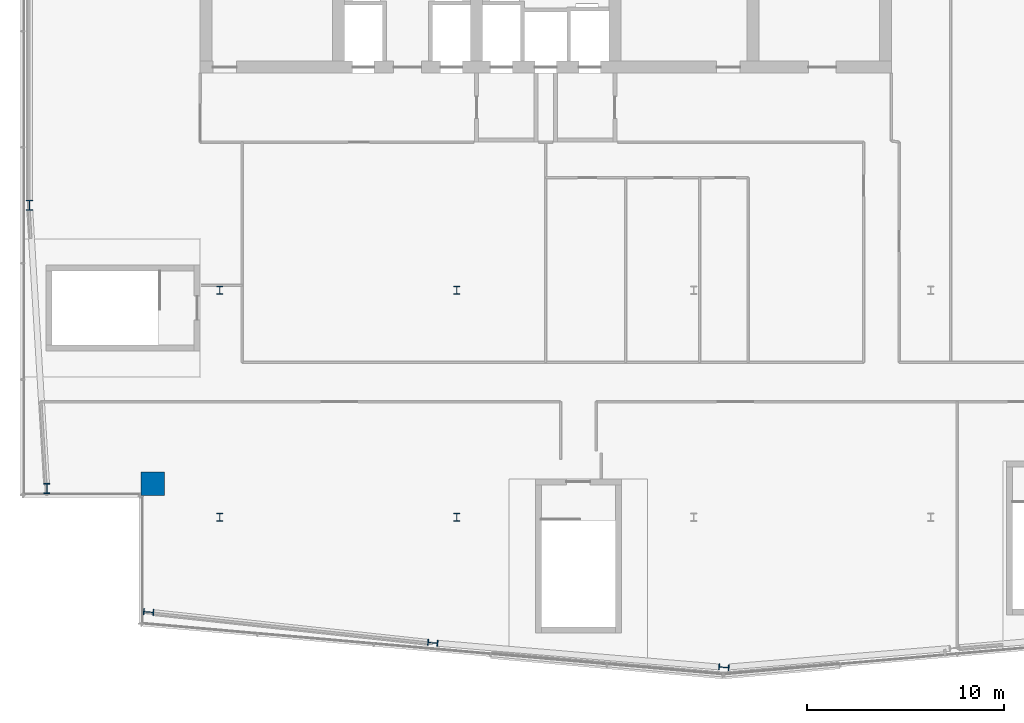
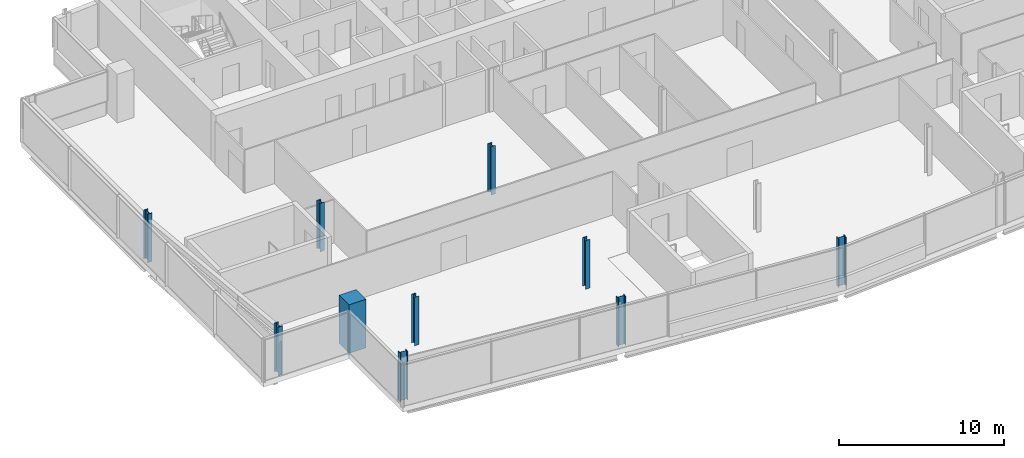
# One storey, part 1 of 19: 10 columns.
"""IFC4 building model written with IfcOpenShell, lengths in metres."""

from ifc_helpers import new_model, si_unit, direction, frame, origin, origin_2d, place, context, subcontext, project, spatial, rectangle, i_section, extrude, material, material_profile, profile_set, type_object, element, save


model = new_model("IFC4")

# Units and contexts
model_context = context("Model", 3, precision=1e-05, world=origin(), true_north=direction((0.0, 1.0)))
body_context = subcontext(model_context, "Body", "Model", "MODEL_VIEW")
ifc_project = project(units=[si_unit("LENGTHUNIT", "METRE"), si_unit("AREAUNIT", "SQUARE_METRE"), si_unit("VOLUMEUNIT", "CUBIC_METRE"), si_unit("PLANEANGLEUNIT", "RADIAN"), si_unit("MASSUNIT", "GRAM", prefix="KILO")], contexts=[model_context])

# Site, building, storey
site_placement = place(None, origin())
site = spatial("IfcSite", under=ifc_project, at=site_placement, CompositionType="ELEMENT")
building_placement = place(site_placement, origin())
building = spatial("IfcBuilding", under=site, at=building_placement, Name="Wharfspan Tower", CompositionType="ELEMENT")
storey_placement = place(building_placement, frame((0.0, 0.0, 257.5)))
storey = spatial("IfcBuildingStorey", under=building, at=storey_placement, Name="L65", CompositionType="ELEMENT", Elevation=257.5)

# Columns
ifc_material_1 = material(Name="Steel S355J2", Category="steel")
ifc_material_profile_1 = material_profile(ifc_material_1, i_section(OverallWidth=0.300049, OverallDepth=0.399902, WebThickness=0.013428, FlangeThickness=0.023926, FilletRadius=0.0271, at=origin_2d()))
ifc_profile_set_1 = profile_set([ifc_material_profile_1], Name="Steel S355J2")
column_type_1 = type_object("IfcColumnType", Name="Column HEB 400", PredefinedType="COLUMN", material=ifc_profile_set_1)
for number, where, z_axis, x_axis, name in (
    (1, (24.0, 11.5, 0.0), (0.0, 0.0, 1.0), (1.0, 0.0, 0.0), "Interior column I.1.1 L65"),
    (2, (36.0, 11.5, 0.0), (0.0, 0.0, 1.0), (1.0, 0.0, 0.0), "Interior column I.1.2 L65"),
    (3, (24.0, 23.0, 0.0), (0.0, 0.0, 1.0), (1.0, 0.0, 0.0), "Interior column I.2.1 L65"),
    (4, (36.0, 23.0, 0.0), (0.0, 0.0, 1.0), (1.0, 0.0, 0.0), "Interior column I.2.2 L65"),
):
    element("IfcColumn", number, at=place(storey_placement, frame(where, z_axis=z_axis, x_axis=x_axis)), inside=storey, type_object=column_type_1, Name=name, PredefinedType="COLUMN", context=body_context, shape_type="SweptSolid", body=[
        extrude(i_section(OverallWidth=0.300049, OverallDepth=0.399902, WebThickness=0.013428, FlangeThickness=0.023926, FilletRadius=0.0271, at=origin_2d()), origin(), (0.0, 0.0, 1.0), 3.600098),
    ])
ifc_material_profile_2 = material_profile(ifc_material_1, i_section(OverallWidth=0.305908, OverallDepth=0.523926, WebThickness=0.020996, FlangeThickness=0.040039, FilletRadius=0.0271, at=origin_2d()))
ifc_profile_set_2 = profile_set([ifc_material_profile_2], Name="Steel S355J2")
column_type_2 = type_object("IfcColumnType", Name="Column HEM 500", PredefinedType="COLUMN", material=ifc_profile_set_2)
for number, where, z_axis, x_axis, name in (
    (5, (20.392334, 6.702637, 0.0), (0.0, 0.0, 1.0), (-0.087156, -0.996197, 0.0), "Perimeter column PS1.1 L65"),
    (6, (34.781494, 5.143311, 0.0), (0.0, 0.0, 1.0), (-0.087156, -0.996197, 0.0), "Perimeter column PS1.2 L65"),
    (7, (49.522949, 3.9021, 0.0), (0.0, 0.0, 1.0), (-0.087156, -0.996197, 0.0), "Perimeter column PS1.3 L65"),
    (8, (14.360107, 27.300049, 0.0), (0.0, 0.0, 1.0), (-1.0, 0.0, 0.0), "Perimeter column PW.1 L65"),
    (9, (15.237793, 12.963379, 0.0), (0.0, 0.0, 1.0), (-1.0, 0.0, 0.0), "Perimeter column PW.2 L65"),
):
    element("IfcColumn", number, at=place(storey_placement, frame(where, z_axis=z_axis, x_axis=x_axis)), inside=storey, type_object=column_type_2, Name=name, PredefinedType="COLUMN", context=body_context, shape_type="SweptSolid", body=[
        extrude(i_section(OverallWidth=0.305908, OverallDepth=0.523926, WebThickness=0.020996, FlangeThickness=0.040039, FilletRadius=0.0271, at=origin_2d()), origin(), (0.0, 0.0, 1.0), 3.600098),
    ])
ifc_material_2 = material(Name="Concrete C50/60", Category="concrete")
ifc_material_profile_3 = material_profile(ifc_material_2, rectangle(XDim=1.199951, YDim=1.199951, at=origin_2d()))
ifc_profile_set_3 = profile_set([ifc_material_profile_3], Name="Concrete C50/60")
column_type_3 = type_object("IfcColumnType", Name="Mega column 1200 C50/60", PredefinedType="COLUMN", material=ifc_profile_set_3)
column_placement = place(storey_placement, frame((20.600098, 13.199951, 0.0), z_axis=(0.0, 0.0, 1.0), x_axis=(1.0, 0.0, 0.0)))
element("IfcColumn", 10, at=column_placement, inside=storey, type_object=column_type_3, Name="Mega column MC1 L65", PredefinedType="COLUMN", context=body_context, shape_type="SweptSolid", body=[
    extrude(rectangle(XDim=1.199951, YDim=1.199951, at=origin_2d()), origin(), (0.0, 0.0, 1.0), 3.600098),
])

save(model, "model.ifc")
